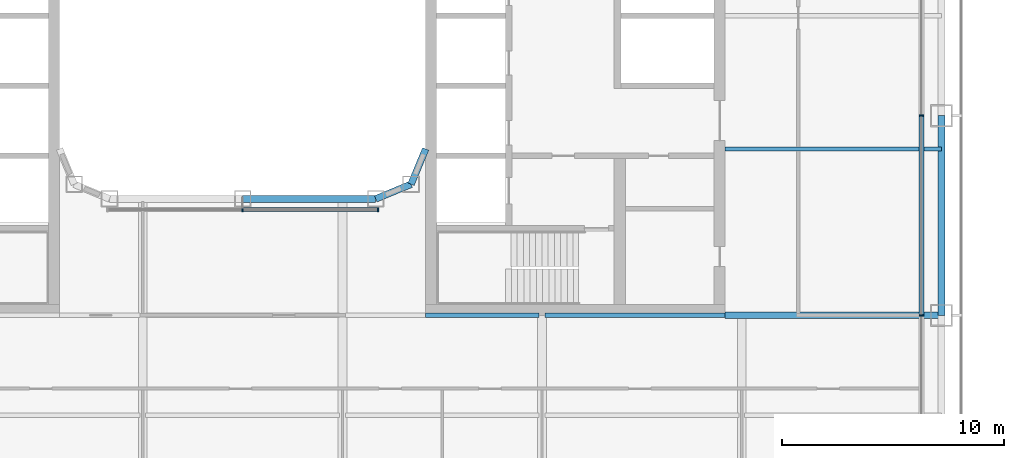
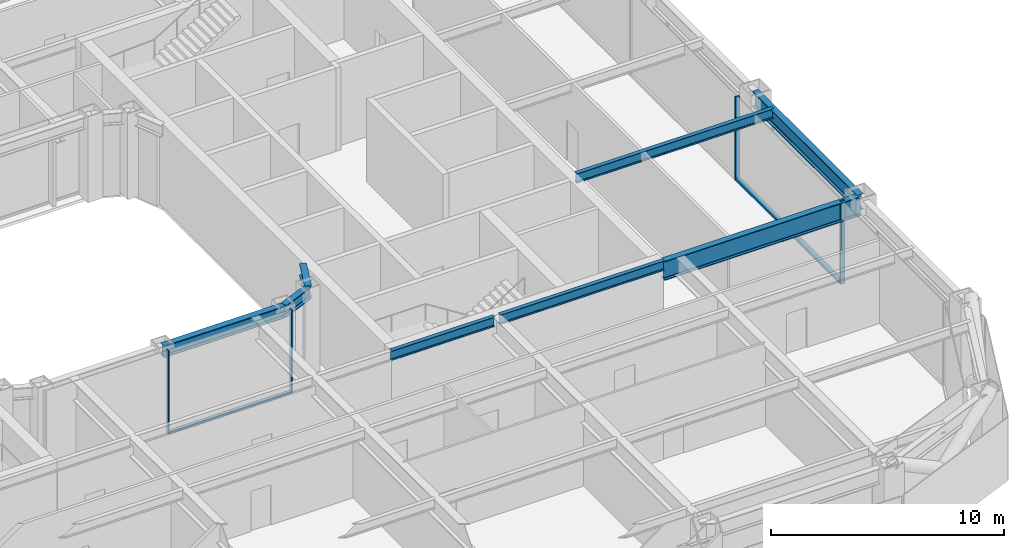
# One storey, part 5 of 30: 8 beams, 6 members, 2 elements without a shape of their own.
"""IFC4 building model written with IfcOpenShell, lengths in metres."""

from ifc_helpers import new_model, si_unit, direction, frame, origin, origin_2d, place, context, subcontext, project, spatial, rectangle, i_section, extrude, material, layer, layer_set, material_profile, profile_set, type_object, element, aggregate, save


model = new_model("IFC4")

# Units and contexts
model_context = context("Model", 3, precision=1e-05, world=origin(), true_north=direction((0.0, 1.0)))
body_context = subcontext(model_context, "Body", "Model", "MODEL_VIEW")
ifc_project = project(units=[si_unit("LENGTHUNIT", "METRE"), si_unit("AREAUNIT", "SQUARE_METRE"), si_unit("VOLUMEUNIT", "CUBIC_METRE"), si_unit("PLANEANGLEUNIT", "RADIAN"), si_unit("MASSUNIT", "GRAM", prefix="KILO")], contexts=[model_context])

# Site, building, storey
site_placement = place(None, origin())
site = spatial("IfcSite", under=ifc_project, at=site_placement, CompositionType="ELEMENT")
building_placement = place(site_placement, origin())
building = spatial("IfcBuilding", under=site, at=building_placement, Name="Siwar Civic Tower", CompositionType="ELEMENT")
storey_placement = place(building_placement, frame((0.0, 0.0, 80.699951171875)))
storey = spatial("IfcBuildingStorey", under=building, at=storey_placement, Name="L17", CompositionType="ELEMENT", Elevation=80.699951171875)

# Curtain wall, members
ifc_material_1 = material(Name="Aluminium and glass", Category="aluminium")
ifc_layer_1 = layer(ifc_material_1, 0.219970703125)
ifc_layer_set_1 = layer_set([ifc_layer_1], Name="Aluminium and glass")
curtain_wall_type_1 = type_object("IfcCurtainWallType", Name="ENV-CW-A", PredefinedType="NOTDEFINED", material=ifc_layer_set_1)
curtain_wall_1_placement = place(storey_placement, origin())
curtain_wall_1 = element("IfcCurtainWall", 1, at=curtain_wall_1_placement, inside=storey, type_object=curtain_wall_type_1, Name="Curtain wall A E", PredefinedType="NOTDEFINED")
ifc_material_2 = material(Name="Aluminium 6063-T6", Category="aluminium")
ifc_material_profile_1 = material_profile(ifc_material_2, rectangle(XDim=0.219970703125, YDim=0.070068359375, at=origin_2d()), Name="AL 220x70")
ifc_profile_set_1 = profile_set([ifc_material_profile_1], Name="Aluminium 6063-T6")
member_type_1 = type_object("IfcMemberType", Name="ENV-MULLION-A", PredefinedType="MULLION", material=ifc_profile_set_1)
member_1_placement = place(storey_placement, frame((30.60009765625, -13.5, 0.0), z_axis=(0.0, 0.0, 1.0), x_axis=(-1.0, 0.0, 0.0)))
member_1 = element("IfcMember", 2, at=member_1_placement, type_object=member_type_1, Name="Mullion A E 2", PredefinedType="MULLION", context=body_context, shape_type="SweptSolid", body=[
    extrude(rectangle(XDim=0.219970703125, YDim=0.070068359375, at=origin_2d()), origin(), (0.0, 0.0, 1.0), 4.35009765625),
])
member_2_placement = place(storey_placement, frame((30.60009765625, -4.5, 0.0), z_axis=(0.0, 0.0, 1.0), x_axis=(-1.0, 0.0, 0.0)))
member_2 = element("IfcMember", 3, at=member_2_placement, type_object=member_type_1, Name="Mullion A E 3", PredefinedType="MULLION", context=body_context, shape_type="SweptSolid", body=[
    extrude(rectangle(XDim=0.219970703125, YDim=0.070068359375, at=origin_2d()), origin(), (0.0, 0.0, 1.0), 4.35009765625),
])

ifc_material_3 = material(Name="Aluminium and glass", Category="aluminium")
ifc_layer_2 = layer(ifc_material_3, 0.179931640625)
ifc_layer_set_2 = layer_set([ifc_layer_2], Name="Aluminium and glass")
curtain_wall_type_2 = type_object("IfcCurtainWallType", Name="ENV-CW-W", PredefinedType="NOTDEFINED", material=ifc_layer_set_2)
curtain_wall_2_placement = place(storey_placement, origin())
curtain_wall_2 = element("IfcCurtainWall", 4, at=curtain_wall_2_placement, inside=storey, type_object=curtain_wall_type_2, Name="Curtain wall W WS", PredefinedType="NOTDEFINED")
ifc_material_4 = material(Name="Aluminium 6063-T6", Category="aluminium")
ifc_material_profile_2 = material_profile(ifc_material_4, rectangle(XDim=0.179931640625, YDim=0.06005859375, at=origin_2d()), Name="AL 180x60")
ifc_profile_set_2 = profile_set([ifc_material_profile_2], Name="Aluminium 6063-T6")
member_type_2 = type_object("IfcMemberType", Name="ENV-MULLION-W", PredefinedType="MULLION", material=ifc_profile_set_2)
member_3_placement = place(storey_placement, frame((0.0, -8.735107421875, 0.0), z_axis=(0.0, 0.0, 1.0), x_axis=(0.0, 1.0, 0.0)))
member_3 = element("IfcMember", 5, at=member_3_placement, type_object=member_type_2, Name="Mullion W WS 2", PredefinedType="MULLION", context=body_context, shape_type="SweptSolid", body=[
    extrude(rectangle(XDim=0.179931640625, YDim=0.06005859375, at=origin_2d()), origin(), (0.0, 0.0, 1.0), 4.35009765625),
])
member_4_placement = place(storey_placement, frame((6.096435546875, -8.735107421875, 0.0), z_axis=(0.0, 0.0, 1.0), x_axis=(0.0, 1.0, 0.0)))
member_4 = element("IfcMember", 6, at=member_4_placement, type_object=member_type_2, Name="Mullion W WS 3", PredefinedType="MULLION", context=body_context, shape_type="SweptSolid", body=[
    extrude(rectangle(XDim=0.179931640625, YDim=0.06005859375, at=origin_2d()), origin(), (0.0, 0.0, 1.0), 4.35009765625),
])

# Member
ifc_material_5 = material(Name="Aluminium 6063-T6", Category="aluminium")
ifc_material_profile_3 = material_profile(ifc_material_5, rectangle(XDim=0.219970703125, YDim=0.1201171875, at=origin_2d()), Name="AL 220x120")
ifc_profile_set_3 = profile_set([ifc_material_profile_3], Name="Aluminium 6063-T6")
member_type_3 = type_object("IfcMemberType", Name="ENV-TRANSOM-A", PredefinedType="USERDEFINED", material=ifc_profile_set_3)
member_5_placement = place(storey_placement, frame((30.60009765625, -13.465087890625, 0.06005859375), z_axis=(0.0, 1.0, 0.0), x_axis=(-1.0, 0.0, 0.0)))
member_5 = element("IfcMember", 7, at=member_5_placement, type_object=member_type_3, Name="Transom A E 2", ObjectType="TRANSOM", PredefinedType="USERDEFINED", context=body_context, shape_type="SweptSolid", body=[
    extrude(rectangle(XDim=0.219970703125, YDim=0.1201171875, at=origin_2d()), origin(), (0.0, 0.0, 1.0), 8.93017578125),
])

aggregate(curtain_wall_1, [member_1, member_2, member_5])

ifc_material_6 = material(Name="Aluminium 6063-T6", Category="aluminium")
ifc_material_profile_4 = material_profile(ifc_material_6, rectangle(XDim=0.179931640625, YDim=0.10009765625, at=origin_2d()), Name="AL 180x100")
ifc_profile_set_4 = profile_set([ifc_material_profile_4], Name="Aluminium 6063-T6")
member_type_4 = type_object("IfcMemberType", Name="ENV-TRANSOM-W", PredefinedType="USERDEFINED", material=ifc_profile_set_4)
member_6_placement = place(storey_placement, frame((0.030029296875, -8.735107421875, 0.050048828125), z_axis=(1.0, 0.0, 0.0), x_axis=(0.0, 1.0, 0.0)))
member_6 = element("IfcMember", 8, at=member_6_placement, type_object=member_type_4, Name="Transom W WS 2", ObjectType="TRANSOM", PredefinedType="USERDEFINED", context=body_context, shape_type="SweptSolid", body=[
    extrude(rectangle(XDim=0.179931640625, YDim=0.10009765625, at=origin_2d()), origin(), (0.0, 0.0, 1.0), 6.036376953125),
])

aggregate(curtain_wall_2, [member_3, member_4, member_6])

# Beams
ifc_material_7 = material(Name="Steel S355", Category="steel")
ifc_material_profile_5 = material_profile(ifc_material_7, i_section(OverallWidth=0.199951171875, OverallDepth=0.5, WebThickness=0.01025390625, FlangeThickness=0.01611328125, FilletRadius=0.02099609375, at=origin_2d()), Name="IPE500")
ifc_profile_set_5 = profile_set([ifc_material_profile_5], Name="Steel S355")
beam_type_1 = type_object("IfcBeamType", Name="STR-FB-IPE500", PredefinedType="JOIST", material=ifc_profile_set_5)
beam_1_placement = place(storey_placement, frame((8.25, -13.5, 4.10009765625), z_axis=(1.0, 0.0, 0.0), x_axis=(0.0, 1.0, 0.0)))
element("IfcBeam", 9, at=beam_1_placement, inside=storey, type_object=beam_type_1, Name="L17/bm/F028", PredefinedType="JOIST", context=body_context, shape_type="SweptSolid", body=[
    extrude(i_section(OverallWidth=0.199951171875, OverallDepth=0.5, WebThickness=0.01025390625, FlangeThickness=0.01611328125, FilletRadius=0.02099609375, at=origin_2d()), origin(), (0.0, 0.0, 1.0), 5.1201171875),
])
beam_2_placement = place(storey_placement, frame((13.6298828125, -13.5, 4.10009765625), z_axis=(1.0, 0.0, 0.0), x_axis=(0.0, 1.0, 0.0)))
element("IfcBeam", 10, at=beam_2_placement, inside=storey, type_object=beam_type_1, Name="L17/bm/F029", PredefinedType="JOIST", context=body_context, shape_type="SweptSolid", body=[
    extrude(i_section(OverallWidth=0.199951171875, OverallDepth=0.5, WebThickness=0.01025390625, FlangeThickness=0.01611328125, FilletRadius=0.02099609375, at=origin_2d()), origin(), (0.0, 0.0, 1.0), 8.1201171875),
])
beam_3_placement = place(storey_placement, frame((21.75, -6.0, 4.10009765625), z_axis=(1.0, 0.0, 0.0), x_axis=(0.0, 1.0, 0.0)))
element("IfcBeam", 11, at=beam_3_placement, inside=storey, type_object=beam_type_1, Name="L17/bm/F032", PredefinedType="JOIST", context=body_context, shape_type="SweptSolid", body=[
    extrude(i_section(OverallWidth=0.199951171875, OverallDepth=0.5, WebThickness=0.01025390625, FlangeThickness=0.01611328125, FilletRadius=0.02099609375, at=origin_2d()), origin(), (0.0, 0.0, 1.0), 9.75),
])
ifc_material_8 = material(Name="Steel S355", Category="steel")
ifc_material_profile_6 = material_profile(ifc_material_8, i_section(OverallWidth=0.300048828125, OverallDepth=1.0, WebThickness=0.01904296875, FlangeThickness=0.035888671875, FilletRadius=0.030029296875, at=origin_2d()), Name="HEB1000")
ifc_profile_set_6 = profile_set([ifc_material_profile_6], Name="Steel S355")
beam_type_2 = type_object("IfcBeamType", Name="STR-PG-HEB1000", PredefinedType="BEAM", material=ifc_profile_set_6)
beam_4_placement = place(storey_placement, frame((21.75, -13.5, 3.85009765625), z_axis=(1.0, 0.0, 0.0), x_axis=(0.0, 1.0, 0.0)))
element("IfcBeam", 12, at=beam_4_placement, inside=storey, type_object=beam_type_2, Name="L17/bm/F030", PredefinedType="BEAM", context=body_context, shape_type="SweptSolid", body=[
    extrude(i_section(OverallWidth=0.300048828125, OverallDepth=1.0, WebThickness=0.01904296875, FlangeThickness=0.035888671875, FilletRadius=0.030029296875, at=origin_2d()), origin(), (0.0, 0.0, 1.0), 9.75),
])
ifc_material_9 = material(Name="Steel S355", Category="steel")
ifc_material_profile_7 = material_profile(ifc_material_9, i_section(OverallWidth=0.304931640625, OverallDepth=0.6201171875, WebThickness=0.02099609375, FlangeThickness=0.0400390625, FilletRadius=0.027099609375, at=origin_2d()), Name="HEM600")
ifc_profile_set_7 = profile_set([ifc_material_profile_7], Name="Steel S355")
beam_type_3 = type_object("IfcBeamType", Name="STR-RB-HEM600", PredefinedType="BEAM", material=ifc_profile_set_7)
beam_5_placement = place(storey_placement, frame((0.0, -8.25, 4.0400390625), z_axis=(1.0, 0.0, 0.0), x_axis=(0.0, 1.0, 0.0)))
element("IfcBeam", 13, at=beam_5_placement, inside=storey, type_object=beam_type_3, Name="L17/bm/RS2", PredefinedType="BEAM", context=body_context, shape_type="SweptSolid", body=[
    extrude(i_section(OverallWidth=0.304931640625, OverallDepth=0.6201171875, WebThickness=0.02099609375, FlangeThickness=0.0400390625, FilletRadius=0.027099609375, at=origin_2d()), origin(), (0.0, 0.0, 1.0), 6.0),
])
for number, where, z_axis, x_axis, name in (
    (14, (6.0, -8.25, 4.0400390625), (0.923901072997, 0.382631424892, 0.0), (-0.382631424892, 0.923901072997, 0.0), "L17/bm/RS3"),
    (15, (7.591064453125, -7.591064453125, 4.0400390625), (0.382631424892, 0.923901072997, 0.0), (-0.923901072997, 0.382631424892, 0.0), "L17/bm/RSEE"),
):
    element("IfcBeam", number, at=place(storey_placement, frame(where, z_axis=z_axis, x_axis=x_axis)), inside=storey, type_object=beam_type_3, Name=name, PredefinedType="BEAM", context=body_context, shape_type="SweptSolid", body=[
        extrude(i_section(OverallWidth=0.304931640625, OverallDepth=0.6201171875, WebThickness=0.02099609375, FlangeThickness=0.0400390625, FilletRadius=0.027099609375, at=origin_2d()), origin(), (0.0, 0.0, 1.0), 1.72216796875),
    ])
ifc_material_10 = material(Name="Steel S355", Category="steel")
ifc_material_profile_8 = material_profile(ifc_material_10, i_section(OverallWidth=0.302978515625, OverallDepth=0.81396484375, WebThickness=0.02099609375, FlangeThickness=0.0400390625, FilletRadius=0.030029296875, at=origin_2d()), Name="HEM800")
ifc_profile_set_8 = profile_set([ifc_material_profile_8], Name="Steel S355")
beam_type_4 = type_object("IfcBeamType", Name="STR-SB-HEM800", PredefinedType="BEAM", material=ifc_profile_set_8)
beam_6_placement = place(storey_placement, frame((31.5, -13.5, 3.943115234375), z_axis=(0.0, 1.0, 0.0), x_axis=(-1.0, 0.0, 0.0)))
element("IfcBeam", 16, at=beam_6_placement, inside=storey, type_object=beam_type_4, Name="L17/bm/SE-1", PredefinedType="BEAM", context=body_context, shape_type="SweptSolid", body=[
    extrude(i_section(OverallWidth=0.302978515625, OverallDepth=0.81396484375, WebThickness=0.02099609375, FlangeThickness=0.0400390625, FilletRadius=0.030029296875, at=origin_2d()), origin(), (0.0, 0.0, 1.0), 9.0),
])

save(model, "model.ifc")
